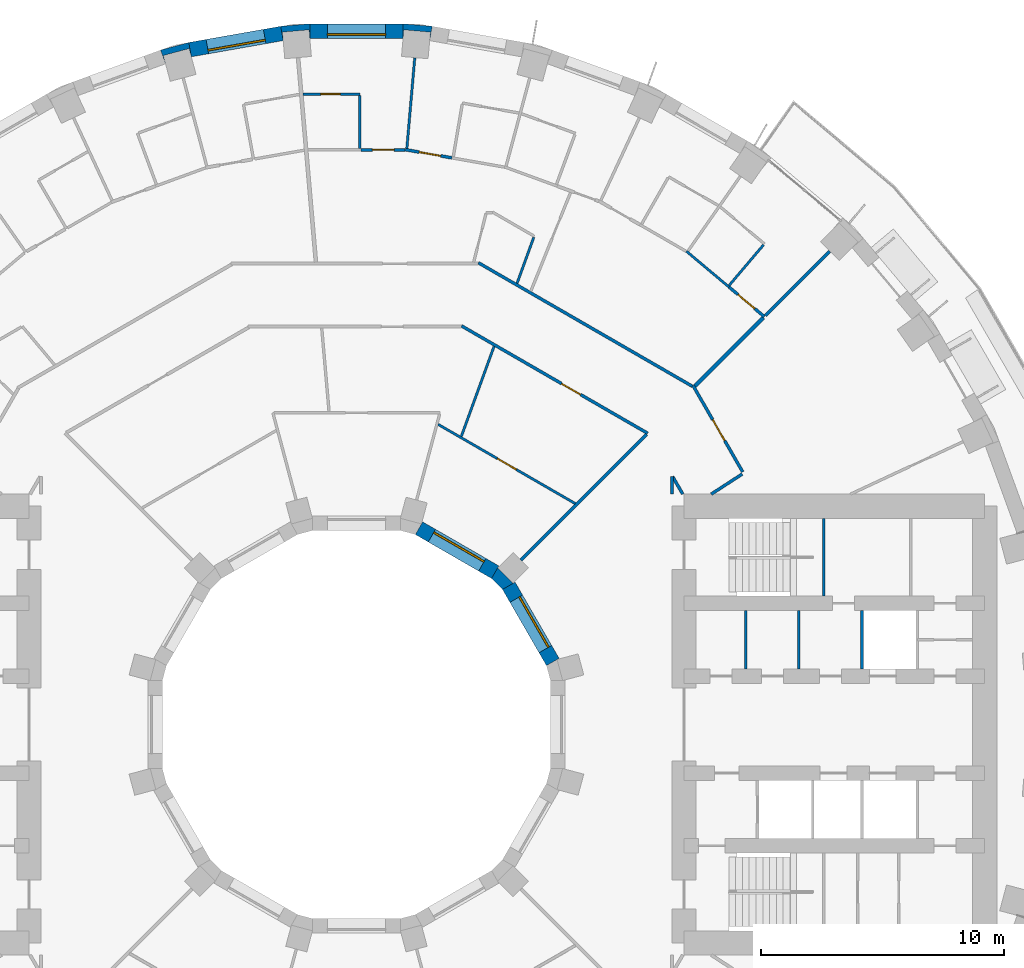
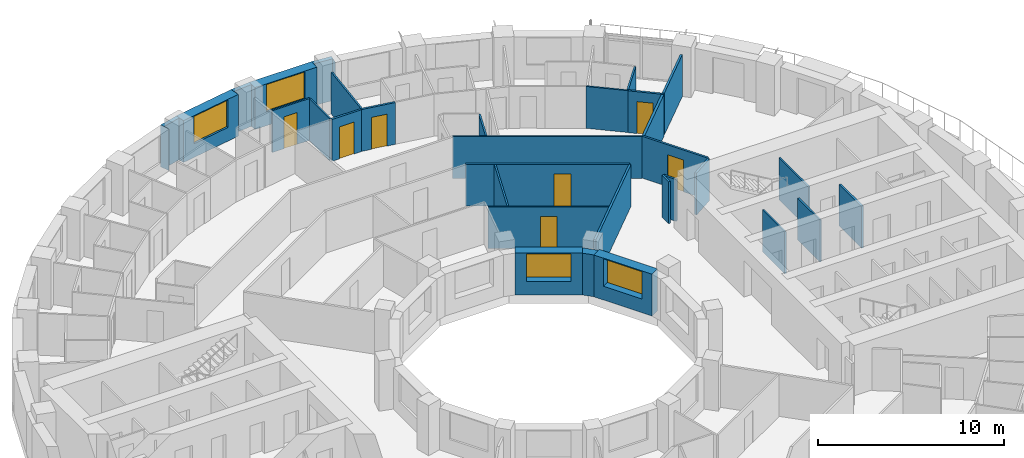
# One storey, part 12 of 15: 32 walls, 7 doors, 4 windows, 11 openings.
"""IFC4 building model written with IfcOpenShell, lengths in metres."""

from ifc_helpers import new_model, si_unit, direction, frame, frame_2d, origin, place, context, subcontext, project, spatial, polyline, rectangle, outline, extrude, material, layer, layer_set, type_object, element, fill, save


model = new_model("IFC4")

# Units and contexts
model_context = context("Model", 3, precision=1e-05, world=origin(), true_north=direction((0.0, 1.0)))
body_context = subcontext(model_context, "Body", "Model", "MODEL_VIEW")
ifc_project = project(units=[si_unit("LENGTHUNIT", "METRE"), si_unit("AREAUNIT", "SQUARE_METRE"), si_unit("VOLUMEUNIT", "CUBIC_METRE"), si_unit("PLANEANGLEUNIT", "RADIAN"), si_unit("MASSUNIT", "GRAM", prefix="KILO")], contexts=[model_context])

# Site, building, storey
site_placement = place(None, origin())
site = spatial("IfcSite", under=ifc_project, at=site_placement, CompositionType="ELEMENT")
building_placement = place(site_placement, origin())
building = spatial("IfcBuilding", under=site, at=building_placement, Name="Saqina Gate Tower", CompositionType="ELEMENT")
storey_placement = place(building_placement, frame((0.0, 0.0, 62.60009765625)))
storey = spatial("IfcBuildingStorey", under=building, at=storey_placement, Name="L17", CompositionType="ELEMENT", Elevation=62.60009765625)

# Walls
ifc_material_1 = material(Name="Brick masonry (red)", Category="masonry")
wall_type_1 = type_object("IfcWallType", Name="BRICK PIER COPING RED", PredefinedType="SOLIDWALL", material=ifc_material_1)
wall_1_placement = place(storey_placement, origin())
element("IfcWall", 1, at=wall_1_placement, inside=storey, type_object=wall_type_1, Name="Pier cap L17 column 9", PredefinedType="SOLIDWALL", context=body_context, shape_type="SweptSolid", body=[
    extrude(outline(polyline([(3.122802734375, 28.78466796875), (1.9228515625, 28.8896484375), (1.9228515625, 28.28955078125), (1.95361328125, 28.638671875), (3.04931640625, 28.54296875), (3.018798828125, 28.19384765625), (3.122802734375, 28.78466796875)])), origin(), (0.0, 0.0, 1.0), 2.75),
])
wall_2_placement = place(storey_placement, origin())
element("IfcWall", 2, at=wall_2_placement, inside=storey, type_object=wall_type_1, Name="Pier cap L17 column 10", PredefinedType="SOLIDWALL", context=body_context, shape_type="SweptSolid", body=[
    extrude(outline(polyline([(-1.9228515625, 28.8896484375), (-3.122802734375, 28.78466796875), (-3.018798828125, 28.19384765625), (-3.04931640625, 28.54296875), (-1.95361328125, 28.638671875), (-1.9228515625, 28.28955078125), (-1.9228515625, 28.8896484375)])), origin(), (0.0, 0.0, 1.0), 2.75),
])
wall_3_placement = place(storey_placement, origin())
element("IfcWall", 3, at=wall_3_placement, inside=storey, type_object=wall_type_1, Name="Pier cap L17 column 11", PredefinedType="SOLIDWALL", context=body_context, shape_type="SweptSolid", body=[
    extrude(outline(polyline([(-6.910400390625, 28.11669921875), (-8.073974609375, 27.80517578125), (-7.86865234375, 27.2412109375), (-7.95947265625, 27.57958984375), (-6.896728515625, 27.864501953125), (-6.80615234375, 27.52587890625), (-6.910400390625, 28.11669921875)])), origin(), (0.0, 0.0, 1.0), 2.75),
])
ifc_material_2 = material(Name="Gypsum board on steel studs", Category="steel")
ifc_layer_1 = layer(ifc_material_2, 0.10009765625)
ifc_layer_set_1 = layer_set([ifc_layer_1], Name="CORE PARTITION")
wall_type_2 = type_object("IfcWallType", Name="CORE PARTITION", PredefinedType="PARTITIONING", material=ifc_layer_set_1)
for number, where, z_axis, x_axis, name in (
    (4, (16.052001953125, 2.300048828125, 0.0), (0.0, 0.0, 1.0), (0.0, 1.0, 0.0), "L17-CP-E01"),
    (5, (18.24072265625, 2.300048828125, 0.0), (0.0, 0.0, 1.0), (0.0, 1.0, 0.0), "L17-CP-E02"),
):
    element("IfcWall", number, at=place(storey_placement, frame(where, z_axis=z_axis, x_axis=x_axis)), inside=storey, type_object=wall_type_2, Name=name, PredefinedType="PARTITIONING", context=body_context, shape_type="SweptSolid", body=[
        extrude(rectangle(XDim=2.39990234375, YDim=0.10009765625, at=frame_2d((1.199951171875, 0.0))), origin(), (0.0, 0.0, 1.0), 2.75),
    ])

# Wall, opening, window
ifc_material_3 = material(Name="Brick masonry (red)", Category="masonry")
ifc_layer_2 = layer(ifc_material_3, 0.60009765625)
ifc_layer_set_2 = layer_set([ifc_layer_2], Name="FW-BRICK-RED")
wall_type_3 = type_object("IfcWallType", Name="FW-BRICK-RED", PredefinedType="SOLIDWALL", material=ifc_layer_set_2)
wall_4_placement = place(storey_placement, frame((1.9228515625, 28.589599609375, 0.0), z_axis=(0.0, 0.0, 1.0), x_axis=(-1.0, 0.0, 0.0)))
wall_4 = element("IfcWall", 6, at=wall_4_placement, inside=storey, type_object=wall_type_3, Name="Facade wall L17 facet 9", PredefinedType="SOLIDWALL", context=body_context, shape_type="SweptSolid", body=[
    extrude(rectangle(XDim=3.845703125, YDim=0.60009765625, at=frame_2d((1.9228515625, 0.0))), origin(), (0.0, 0.0, 1.0), 2.75),
])
opening_1_placement = place(wall_4_placement, frame((0.722900390625, 0.0, 0.89990234375)))
opening_1 = element("IfcOpeningElement", 7, at=opening_1_placement, cuts=wall_4, Name="Opening G04-W04", PredefinedType="OPENING", context=body_context, shape_type="SweptSolid", body=[
    extrude(rectangle(XDim=2.39990234375, YDim=1.800048828125, at=frame_2d((1.199951171875, 0.89990234375))), frame((0.0, 0.31201171875, 0.0), z_axis=(0.0, -1.0, 0.0), x_axis=(1.0, 0.0, 0.0)), (0.0, 0.0, 1.0), 0.6240234375),
])
ifc_material_4 = material(Name="Aluminium glazing", Category="aluminium")
window_type_1 = type_object("IfcWindowType", Name="WN-A", PartitioningType="SINGLE_PANEL", PredefinedType="WINDOW", material=ifc_material_4)
window_1_placement = place(opening_1_placement, origin())
window_1 = element("IfcWindow", 8, at=window_1_placement, inside=storey, type_object=window_type_1, Name="Window L17 facet 9", OverallHeight=1.800048828125, OverallWidth=2.39990234375, PartitioningType="SINGLE_PANEL", PredefinedType="WINDOW", context=body_context, shape_type="SweptSolid", body=[
    extrude(rectangle(XDim=2.39990234375, YDim=1.800048828125, at=frame_2d((1.199951171875, 0.89990234375))), frame((0.0, 0.179931640625, 0.0), z_axis=(0.0, -1.0, 0.0), x_axis=(1.0, 0.0, 0.0)), (0.0, 0.0, 1.0), 0.06005859375),
])
fill(opening_1, window_1)

wall_5_placement = place(storey_placement, frame((-3.07080078125, 28.4892578125, 0.0), z_axis=(0.0, 0.0, 1.0), x_axis=(-0.984800809218, -0.173687553279, 0.0)))
wall_5 = element("IfcWall", 9, at=wall_5_placement, inside=storey, type_object=wall_type_3, Name="Facade wall L17 facet 10", PredefinedType="SOLIDWALL", context=body_context, shape_type="SweptSolid", body=[
    extrude(rectangle(XDim=3.845703125, YDim=0.60009765625, at=frame_2d((1.9228515625, 0.0))), origin(), (0.0, 0.0, 1.0), 2.75),
])
opening_2_placement = place(wall_5_placement, frame((0.722900390625, 0.0, 0.89990234375)))
opening_2 = element("IfcOpeningElement", 10, at=opening_2_placement, cuts=wall_5, Name="Opening G04-W05", PredefinedType="OPENING", context=body_context, shape_type="SweptSolid", body=[
    extrude(rectangle(XDim=2.39990234375, YDim=1.800048828125, at=frame_2d((1.199951171875, 0.89990234375))), frame((0.0, 0.31201171875, 0.0), z_axis=(0.0, -1.0, 0.0), x_axis=(1.0, 0.0, 0.0)), (0.0, 0.0, 1.0), 0.6240234375),
])
window_2_placement = place(opening_2_placement, origin())
window_2 = element("IfcWindow", 11, at=window_2_placement, inside=storey, type_object=window_type_1, Name="Window L17 facet 10", OverallHeight=1.800048828125, OverallWidth=2.39990234375, PartitioningType="SINGLE_PANEL", PredefinedType="WINDOW", context=body_context, shape_type="SweptSolid", body=[
    extrude(rectangle(XDim=2.39990234375, YDim=1.800048828125, at=frame_2d((1.199951171875, 0.89990234375))), frame((0.0, 0.179931640625, 0.0), z_axis=(0.0, -1.0, 0.0), x_axis=(1.0, 0.0, 0.0)), (0.0, 0.0, 1.0), 0.06005859375),
])
fill(opening_2, window_2)

ifc_material_5 = material(Name="Glazed ceramic tile", Category="ceramic")
ifc_layer_3 = layer(ifc_material_5, 0.60009765625)
ifc_layer_set_3 = layer_set([ifc_layer_3], Name="IW-TILE")
wall_type_4 = type_object("IfcWallType", Name="IW-TILE", PredefinedType="SOLIDWALL", material=ifc_layer_set_3)
wall_6_placement = place(storey_placement, frame((8.09423828125, 2.580322265625, 0.0), z_axis=(0.0, 0.0, 1.0), x_axis=(-0.499992569217, 0.866029693906, 0.0)))
wall_6 = element("IfcWall", 12, at=wall_6_placement, inside=storey, type_object=wall_type_4, Name="Well wall L17 facet 1", PredefinedType="SOLIDWALL", context=body_context, shape_type="SweptSolid", body=[
    extrude(rectangle(XDim=3.625, YDim=0.60009765625, at=frame_2d((1.8125, 0.0))), origin(), (0.0, 0.0, 1.0), 2.75),
])
opening_3_placement = place(wall_6_placement, frame((0.612548828125, 0.0, 0.89990234375)))
opening_3 = element("IfcOpeningElement", 13, at=opening_3_placement, cuts=wall_6, Name="Opening G04-W24", PredefinedType="OPENING", context=body_context, shape_type="SweptSolid", body=[
    extrude(rectangle(XDim=2.39990234375, YDim=1.800048828125, at=frame_2d((1.199951171875, 0.89990234375))), frame((0.0, 0.31201171875, 0.0), z_axis=(0.0, -1.0, 0.0), x_axis=(1.0, 0.0, 0.0)), (0.0, 0.0, 1.0), 0.6240234375),
])
ifc_material_6 = material(Name="Aluminium glazing", Category="aluminium")
window_type_2 = type_object("IfcWindowType", Name="WN-W", PartitioningType="SINGLE_PANEL", PredefinedType="WINDOW", material=ifc_material_6)
window_3_placement = place(opening_3_placement, origin())
window_3 = element("IfcWindow", 14, at=window_3_placement, inside=storey, type_object=window_type_2, Name="Well window L17 facet 1", OverallHeight=1.800048828125, OverallWidth=2.39990234375, PartitioningType="SINGLE_PANEL", PredefinedType="WINDOW", context=body_context, shape_type="SweptSolid", body=[
    extrude(rectangle(XDim=2.39990234375, YDim=1.800048828125, at=frame_2d((1.199951171875, 0.89990234375))), frame((0.0, -0.119873046875, 0.0), z_axis=(0.0, -1.0, 0.0), x_axis=(1.0, 0.0, 0.0)), (0.0, 0.0, 1.0), 0.06005859375),
])
fill(opening_3, window_3)

wall_7_placement = place(storey_placement, frame((5.7197265625, 6.28173828125, 0.0), z_axis=(0.0, 0.0, 1.0), x_axis=(-0.866029693906, 0.499992569217, 0.0)))
wall_7 = element("IfcWall", 15, at=wall_7_placement, inside=storey, type_object=wall_type_4, Name="Well wall L17 facet 2", PredefinedType="SOLIDWALL", context=body_context, shape_type="SweptSolid", body=[
    extrude(rectangle(XDim=3.625, YDim=0.60009765625, at=frame_2d((1.8125, 0.0))), origin(), (0.0, 0.0, 1.0), 2.75),
])
opening_4_placement = place(wall_7_placement, frame((0.612548828125, 0.0, 0.89990234375)))
opening_4 = element("IfcOpeningElement", 16, at=opening_4_placement, cuts=wall_7, Name="Opening G04-W25", PredefinedType="OPENING", context=body_context, shape_type="SweptSolid", body=[
    extrude(rectangle(XDim=2.39990234375, YDim=1.800048828125, at=frame_2d((1.199951171875, 0.89990234375))), frame((0.0, 0.31201171875, 0.0), z_axis=(0.0, -1.0, 0.0), x_axis=(1.0, 0.0, 0.0)), (0.0, 0.0, 1.0), 0.6240234375),
])
window_4_placement = place(opening_4_placement, origin())
window_4 = element("IfcWindow", 17, at=window_4_placement, inside=storey, type_object=window_type_2, Name="Well window L17 facet 2", OverallHeight=1.800048828125, OverallWidth=2.39990234375, PartitioningType="SINGLE_PANEL", PredefinedType="WINDOW", context=body_context, shape_type="SweptSolid", body=[
    extrude(rectangle(XDim=2.39990234375, YDim=1.800048828125, at=frame_2d((1.199951171875, 0.89990234375))), frame((0.0, -0.119873046875, 0.0), z_axis=(0.0, -1.0, 0.0), x_axis=(1.0, 0.0, 0.0)), (0.0, 0.0, 1.0), 0.06005859375),
])
fill(opening_4, window_4)

# Wall
ifc_material_7 = material(Name="Gypsum board on steel studs, 100 mm", Category="steel")
ifc_layer_4 = layer(ifc_material_7, 0.10009765625)
ifc_layer_set_4 = layer_set([ifc_layer_4], Name="PARTITION 100")
wall_type_5 = type_object("IfcWallType", Name="PARTITION 100", PredefinedType="PARTITIONING", material=ifc_layer_set_4)
wall_8_placement = place(storey_placement, frame((13.60107421875, 19.5126953125, 0.0), z_axis=(0.0, 0.0, 1.0), x_axis=(0.765838323525, -0.643033173499, 0.0)))
element("IfcWall", 18, at=wall_8_placement, inside=storey, type_object=wall_type_5, Name="PARTITION PW3-30", PredefinedType="PARTITIONING", context=body_context, shape_type="SweptSolid", body=[
    extrude(rectangle(XDim=2.30615234375, YDim=0.10009765625, at=frame_2d((1.153076171875, 0.0))), origin(), (0.0, 0.0, 1.0), 2.75),
])

# Wall, opening, door
wall_9_placement = place(storey_placement, frame((3.3662109375, 12.375, 0.0), z_axis=(0.0, 0.0, 1.0), x_axis=(0.86596399252, -0.500106352348, 0.0)))
wall_9 = element("IfcWall", 19, at=wall_9_placement, inside=storey, type_object=wall_type_5, Name="PARTITION PW3-41", PredefinedType="PARTITIONING", context=body_context, shape_type="SweptSolid", body=[
    extrude(rectangle(XDim=6.5322265625, YDim=0.10009765625, at=frame_2d((3.26611328125, 0.0))), origin(), (0.0, 0.0, 1.0), 2.75),
])
opening_5_placement = place(wall_9_placement, frame((2.822265625, 0.0, 0.0)))
opening_5 = element("IfcOpeningElement", 20, at=opening_5_placement, cuts=wall_9, Name="Opening G04-D07", PredefinedType="OPENING", context=body_context, shape_type="SweptSolid", body=[
    extrude(rectangle(XDim=0.89990234375, YDim=2.10009765625, at=frame_2d((0.449951171875, 1.050048828125))), frame((0.0, 0.06201171875, 0.0), z_axis=(0.0, -1.0, 0.0), x_axis=(1.0, 0.0, 0.0)), (0.0, 0.0, 1.0), 0.1240234375),
])
ifc_material_8 = material(Name="Timber door leaf, 900 mm", Category="wood")
door_type_1 = type_object("IfcDoorType", Name="DOOR 900 TIMBER", OperationType="SINGLE_SWING_LEFT", PredefinedType="DOOR", material=ifc_material_8)
door_1_placement = place(opening_5_placement, origin())
door_1 = element("IfcDoor", 21, at=door_1_placement, inside=storey, type_object=door_type_1, Name="DOOR G04-D07", OperationType="SINGLE_SWING_RIGHT", OverallHeight=2.10009765625, OverallWidth=0.89990234375, PredefinedType="DOOR", context=body_context, shape_type="SweptSolid", body=[
    extrude(rectangle(XDim=0.89990234375, YDim=2.10009765625, at=frame_2d((0.449951171875, 1.050048828125))), frame((0.0, 0.02490234375, 0.0), z_axis=(0.0, -1.0, 0.0), x_axis=(1.0, 0.0, 0.0)), (0.0, 0.0, 1.0), 0.050048828125),
])
fill(opening_5, door_1)

wall_10_placement = place(storey_placement, frame((-2.198974609375, 25.989990234375, 0.0), z_axis=(0.0, 0.0, 1.0), x_axis=(1.0, 0.0, 0.0)))
wall_10 = element("IfcWall", 22, at=wall_10_placement, inside=storey, type_object=wall_type_5, Name="PARTITION PW3-62", PredefinedType="PARTITIONING", context=body_context, shape_type="SweptSolid", body=[
    extrude(rectangle(XDim=2.344970703125, YDim=0.10009765625, at=frame_2d((1.17236328125, 0.0))), origin(), (0.0, 0.0, 1.0), 2.75),
])
opening_6_placement = place(wall_10_placement, frame((0.735107421875, 0.0, 0.0)))
opening_6 = element("IfcOpeningElement", 23, at=opening_6_placement, cuts=wall_10, Name="Opening G04-D19", PredefinedType="OPENING", context=body_context, shape_type="SweptSolid", body=[
    extrude(rectangle(XDim=0.800048828125, YDim=2.10009765625, at=frame_2d((0.39990234375, 1.050048828125))), frame((0.0, 0.06201171875, 0.0), z_axis=(0.0, -1.0, 0.0), x_axis=(1.0, 0.0, 0.0)), (0.0, 0.0, 1.0), 0.1240234375),
])
ifc_material_9 = material(Name="Timber door leaf, 800 mm", Category="wood")
door_type_2 = type_object("IfcDoorType", Name="DOOR 800 TIMBER", OperationType="SINGLE_SWING_LEFT", PredefinedType="DOOR", material=ifc_material_9)
door_2_placement = place(opening_6_placement, origin())
door_2 = element("IfcDoor", 24, at=door_2_placement, inside=storey, type_object=door_type_2, Name="DOOR G04-D19", OperationType="SINGLE_SWING_LEFT", OverallHeight=2.10009765625, OverallWidth=0.800048828125, PredefinedType="DOOR", context=body_context, shape_type="SweptSolid", body=[
    extrude(rectangle(XDim=0.800048828125, YDim=2.10009765625, at=frame_2d((0.39990234375, 1.050048828125))), frame((0.0, 0.02490234375, 0.0), z_axis=(0.0, -1.0, 0.0), x_axis=(1.0, 0.0, 0.0)), (0.0, 0.0, 1.0), 0.050048828125),
])
fill(opening_6, door_2)

# Walls
wall_11_placement = place(storey_placement, frame((15.369384765625, 18.109619140625, 0.0), z_axis=(0.0, 0.0, 1.0), x_axis=(0.646932224045, 0.762547505072, 0.0)))
element("IfcWall", 25, at=wall_11_placement, inside=storey, type_object=wall_type_5, Name="PARTITION PW3-84", PredefinedType="PARTITIONING", context=body_context, shape_type="SweptSolid", body=[
    extrude(rectangle(XDim=2.187744140625, YDim=0.10009765625, at=frame_2d((1.09375, 0.0))), origin(), (0.0, 0.0, 1.0), 2.75),
])
wall_12_placement = place(storey_placement, frame((4.32421875, 11.87890625, 0.0), z_axis=(0.0, 0.0, 1.0), x_axis=(0.341946576705, 0.939719393585, 0.0)))
element("IfcWall", 26, at=wall_12_placement, inside=storey, type_object=wall_type_5, Name="PARTITION PW3-101", PredefinedType="PARTITIONING", context=body_context, shape_type="SweptSolid", body=[
    extrude(rectangle(XDim=3.948974609375, YDim=0.10009765625, at=frame_2d((1.974609375, 0.0))), origin(), (0.0, 0.0, 1.0), 2.75),
])
wall_13_placement = place(storey_placement, frame((6.620361328125, 18.188720703125, 0.0), z_axis=(0.0, 0.0, 1.0), x_axis=(0.341976076059, 0.939708658789, 0.0)))
element("IfcWall", 27, at=wall_13_placement, inside=storey, type_object=wall_type_5, Name="PARTITION PW3-102", PredefinedType="PARTITIONING", context=body_context, shape_type="SweptSolid", body=[
    extrude(rectangle(XDim=2.01904296875, YDim=0.10009765625, at=frame_2d((1.009521484375, 0.0))), origin(), (0.0, 0.0, 1.0), 2.75),
])
wall_14_placement = place(storey_placement, frame((2.078369140625, 23.752197265625, 0.0), z_axis=(0.0, 0.0, 1.0), x_axis=(0.087045714137, 0.996204318225, 0.0)))
element("IfcWall", 28, at=wall_14_placement, inside=storey, type_object=wall_type_5, Name="PARTITION PW3-112", PredefinedType="PARTITIONING", context=body_context, shape_type="SweptSolid", body=[
    extrude(rectangle(XDim=3.7470703125, YDim=0.10009765625, at=frame_2d((1.87353515625, 0.0))), origin(), (0.0, 0.0, 1.0), 2.75),
])
wall_15_placement = place(storey_placement, frame((0.13330078125, 23.75244140625, 0.0), z_axis=(0.0, 0.0, 1.0), x_axis=(0.005691872083, 0.999983801165, 0.0)))
element("IfcWall", 29, at=wall_15_placement, inside=storey, type_object=wall_type_5, Name="PARTITION PW3-114", PredefinedType="PARTITIONING", context=body_context, shape_type="SweptSolid", body=[
    extrude(rectangle(XDim=2.1875, YDim=0.10009765625, at=frame_2d((1.09375, 0.0))), origin(), (0.0, 0.0, 1.0), 2.75),
])

# Wall, opening, door
ifc_material_10 = material(Name="Gypsum board on steel studs, 125 mm, fire rated", Category="steel")
ifc_layer_5 = layer(ifc_material_10, 0.125)
ifc_layer_set_5 = layer_set([ifc_layer_5], Name="PARTITION EI 30 125")
wall_type_6 = type_object("IfcWallType", Name="PARTITION EI 30 125", PredefinedType="PARTITIONING", material=ifc_layer_set_5)
wall_16_placement = place(storey_placement, frame((13.875732421875, 13.976318359375, 0.0), z_axis=(0.0, 0.0, 1.0), x_axis=(0.498306982451, -0.867000663921, 0.0)))
wall_16 = element("IfcWall", 30, at=wall_16_placement, inside=storey, type_object=wall_type_6, Name="PARTITION PW1-01", PredefinedType="PARTITIONING", context=body_context, shape_type="SweptSolid", body=[
    extrude(rectangle(XDim=4.108154296875, YDim=0.125, at=frame_2d((2.05419921875, 0.0))), origin(), (0.0, 0.0, 1.0), 2.75),
])
opening_7_placement = place(wall_16_placement, frame((1.622802734375, 0.0, 0.0)))
opening_7 = element("IfcOpeningElement", 31, at=opening_7_placement, cuts=wall_16, Name="Opening G04-D02", PredefinedType="OPENING", context=body_context, shape_type="SweptSolid", body=[
    extrude(rectangle(XDim=1.0, YDim=2.10009765625, at=frame_2d((0.5, 1.050048828125))), frame((0.0, 0.074462890625, 0.0), z_axis=(0.0, -1.0, 0.0), x_axis=(1.0, 0.0, 0.0)), (0.0, 0.0, 1.0), 0.14892578125),
])
ifc_material_11 = material(Name="Fire door leaf EI 30, 1000 mm")
door_type_3 = type_object("IfcDoorType", Name="DOOR 1000 EI 30", OperationType="SINGLE_SWING_LEFT", PredefinedType="DOOR", material=ifc_material_11)
door_3_placement = place(opening_7_placement, frame((1.0, 0.0, 0.0), z_axis=(0.0, 0.0, 1.0), x_axis=(-1.0, 0.0, 0.0)))
door_3 = element("IfcDoor", 32, at=door_3_placement, inside=storey, type_object=door_type_3, Name="DOOR G04-D02", OperationType="SINGLE_SWING_LEFT", OverallHeight=2.10009765625, OverallWidth=1.0, PredefinedType="DOOR", context=body_context, shape_type="SweptSolid", body=[
    extrude(rectangle(XDim=1.0, YDim=2.10009765625, at=frame_2d((0.5, 1.050048828125))), frame((0.0, 0.02490234375, 0.0), z_axis=(0.0, -1.0, 0.0), x_axis=(1.0, 0.0, 0.0)), (0.0, 0.0, 1.0), 0.050048828125),
])
fill(opening_7, door_3)

# Wall
wall_17_placement = place(storey_placement, frame((13.034912109375, 10.222412109375, 0.0), z_axis=(0.0, 0.0, 1.0), x_axis=(0.49991670217, -0.866073490468, 0.0)))
element("IfcWall", 33, at=wall_17_placement, inside=storey, type_object=wall_type_6, Name="PARTITION PW1-04", PredefinedType="PARTITIONING", context=body_context, shape_type="SweptSolid", body=[
    extrude(rectangle(XDim=0.834228515625, YDim=0.125, at=frame_2d((0.4169921875, 0.0))), origin(), (0.0, 0.0, 1.0), 2.75),
])

# Wall, opening, door
wall_18_placement = place(storey_placement, frame((15.3671875, 18.02978515625, 0.0), z_axis=(0.0, 0.0, 1.0), x_axis=(0.766035589551, -0.64279816081, 0.0)))
wall_18 = element("IfcWall", 34, at=wall_18_placement, inside=storey, type_object=wall_type_6, Name="PARTITION PW1-07", PredefinedType="PARTITIONING", context=body_context, shape_type="SweptSolid", body=[
    extrude(rectangle(XDim=1.889892578125, YDim=0.125, at=frame_2d((0.94482421875, 0.0))), origin(), (0.0, 0.0, 1.0), 2.75),
])
opening_8_placement = place(wall_18_placement, frame((0.469970703125, 0.0, 0.0)))
opening_8 = element("IfcOpeningElement", 35, at=opening_8_placement, cuts=wall_18, Name="Opening G04-D03", PredefinedType="OPENING", context=body_context, shape_type="SweptSolid", body=[
    extrude(rectangle(XDim=0.89990234375, YDim=2.10009765625, at=frame_2d((0.449951171875, 1.050048828125))), frame((0.0, 0.074462890625, 0.0), z_axis=(0.0, -1.0, 0.0), x_axis=(1.0, 0.0, 0.0)), (0.0, 0.0, 1.0), 0.14892578125),
])
ifc_material_12 = material(Name="Fire door leaf EI 30, 900 mm")
door_type_4 = type_object("IfcDoorType", Name="DOOR 900 EI 30", OperationType="SINGLE_SWING_LEFT", PredefinedType="DOOR", material=ifc_material_12)
door_4_placement = place(opening_8_placement, frame((0.89990234375, 0.0, 0.0), z_axis=(0.0, 0.0, 1.0), x_axis=(-1.0, 0.0, 0.0)))
door_4 = element("IfcDoor", 36, at=door_4_placement, inside=storey, type_object=door_type_4, Name="DOOR G04-D03", OperationType="SINGLE_SWING_LEFT", OverallHeight=2.10009765625, OverallWidth=0.89990234375, PredefinedType="DOOR", context=body_context, shape_type="SweptSolid", body=[
    extrude(rectangle(XDim=0.89990234375, YDim=2.10009765625, at=frame_2d((0.449951171875, 1.050048828125))), frame((0.0, 0.02490234375, 0.0), z_axis=(0.0, -1.0, 0.0), x_axis=(1.0, 0.0, 0.0)), (0.0, 0.0, 1.0), 0.050048828125),
])
fill(opening_8, door_4)

wall_19_placement = place(storey_placement, frame((4.33154296875, 16.43603515625, 0.0), z_axis=(0.0, 0.0, 1.0), x_axis=(0.866073188118, -0.499917225971, 0.0)))
wall_19 = element("IfcWall", 37, at=wall_19_placement, inside=storey, type_object=wall_type_6, Name="PARTITION PW1-12", PredefinedType="PARTITIONING", context=body_context, shape_type="SweptSolid", body=[
    extrude(rectangle(XDim=8.861328125, YDim=0.125, at=frame_2d((4.4306640625, 0.0))), origin(), (0.0, 0.0, 1.0), 2.75),
])
opening_9_placement = place(wall_19_placement, frame((4.768310546875, 0.0, 0.0)))
opening_9 = element("IfcOpeningElement", 38, at=opening_9_placement, cuts=wall_19, Name="Opening G04-D05", PredefinedType="OPENING", context=body_context, shape_type="SweptSolid", body=[
    extrude(rectangle(XDim=0.89990234375, YDim=2.10009765625, at=frame_2d((0.449951171875, 1.050048828125))), frame((0.0, 0.074462890625, 0.0), z_axis=(0.0, -1.0, 0.0), x_axis=(1.0, 0.0, 0.0)), (0.0, 0.0, 1.0), 0.14892578125),
])
door_5_placement = place(opening_9_placement, frame((0.89990234375, 0.0, 0.0), z_axis=(0.0, 0.0, 1.0), x_axis=(-1.0, 0.0, 0.0)))
door_5 = element("IfcDoor", 39, at=door_5_placement, inside=storey, type_object=door_type_4, Name="DOOR G04-D05", OperationType="SINGLE_SWING_LEFT", OverallHeight=2.10009765625, OverallWidth=0.89990234375, PredefinedType="DOOR", context=body_context, shape_type="SweptSolid", body=[
    extrude(rectangle(XDim=0.89990234375, YDim=2.10009765625, at=frame_2d((0.449951171875, 1.050048828125))), frame((0.0, 0.02490234375, 0.0), z_axis=(0.0, -1.0, 0.0), x_axis=(1.0, 0.0, 0.0)), (0.0, 0.0, 1.0), 0.050048828125),
])
fill(opening_9, door_5)

# Wall
wall_20_placement = place(storey_placement, frame((5.028564453125, 19.0361328125, 0.0), z_axis=(0.0, 0.0, 1.0), x_axis=(0.866024825845, -0.50000100102, 0.0)))
element("IfcWall", 40, at=wall_20_placement, inside=storey, type_object=wall_type_6, Name="PARTITION PW1-13", PredefinedType="PARTITIONING", context=body_context, shape_type="SweptSolid", body=[
    extrude(rectangle(XDim=10.19189453125, YDim=0.125, at=frame_2d((5.095947265625, 0.0))), origin(), (0.0, 0.0, 1.0), 2.75),
])

# Wall, opening, door
wall_21_placement = place(storey_placement, frame((2.010498046875, 23.700927734375, 0.0), z_axis=(0.0, 0.0, 1.0), x_axis=(0.984788592159, -0.173756809228, 0.0)))
wall_21 = element("IfcWall", 41, at=wall_21_placement, inside=storey, type_object=wall_type_6, Name="PARTITION PW1-20", PredefinedType="PARTITIONING", context=body_context, shape_type="SweptSolid", body=[
    extrude(rectangle(XDim=1.953125, YDim=0.125, at=frame_2d((0.9765625, 0.0))), origin(), (0.0, 0.0, 1.0), 2.75),
])
opening_10_placement = place(wall_21_placement, frame((0.583251953125, 0.0, 0.0)))
opening_10 = element("IfcOpeningElement", 42, at=opening_10_placement, cuts=wall_21, Name="Opening G04-D14", PredefinedType="OPENING", context=body_context, shape_type="SweptSolid", body=[
    extrude(rectangle(XDim=0.89990234375, YDim=2.10009765625, at=frame_2d((0.449951171875, 1.050048828125))), frame((0.0, 0.074462890625, 0.0), z_axis=(0.0, -1.0, 0.0), x_axis=(1.0, 0.0, 0.0)), (0.0, 0.0, 1.0), 0.14892578125),
])
door_6_placement = place(opening_10_placement, frame((0.89990234375, 0.0, 0.0), z_axis=(0.0, 0.0, 1.0), x_axis=(-1.0, 0.0, 0.0)))
door_6 = element("IfcDoor", 43, at=door_6_placement, inside=storey, type_object=door_type_4, Name="DOOR G04-D14", OperationType="SINGLE_SWING_RIGHT", OverallHeight=2.10009765625, OverallWidth=0.89990234375, PredefinedType="DOOR", context=body_context, shape_type="SweptSolid", body=[
    extrude(rectangle(XDim=0.89990234375, YDim=2.10009765625, at=frame_2d((0.449951171875, 1.050048828125))), frame((0.0, 0.02490234375, 0.0), z_axis=(0.0, -1.0, 0.0), x_axis=(1.0, 0.0, 0.0)), (0.0, 0.0, 1.0), 0.050048828125),
])
fill(opening_10, door_6)

wall_22_placement = place(storey_placement, frame((0.18310546875, 23.68994140625, 0.0), z_axis=(0.0, 0.0, 1.0), x_axis=(1.0, 0.0, 0.0)))
wall_22 = element("IfcWall", 44, at=wall_22_placement, inside=storey, type_object=wall_type_6, Name="PARTITION PW1-26", PredefinedType="PARTITIONING", context=body_context, shape_type="SweptSolid", body=[
    extrude(rectangle(XDim=1.827392578125, YDim=0.125, at=frame_2d((0.91357421875, 0.0))), origin(), (0.0, 0.0, 1.0), 2.75),
])
opening_11_placement = place(wall_22_placement, frame((0.469970703125, 0.0, 0.0)))
opening_11 = element("IfcOpeningElement", 45, at=opening_11_placement, cuts=wall_22, Name="Opening G04-D17", PredefinedType="OPENING", context=body_context, shape_type="SweptSolid", body=[
    extrude(rectangle(XDim=0.89990234375, YDim=2.10009765625, at=frame_2d((0.449951171875, 1.050048828125))), frame((0.0, 0.074462890625, 0.0), z_axis=(0.0, -1.0, 0.0), x_axis=(1.0, 0.0, 0.0)), (0.0, 0.0, 1.0), 0.14892578125),
])
door_7_placement = place(opening_11_placement, frame((0.89990234375, 0.0, 0.0), z_axis=(0.0, 0.0, 1.0), x_axis=(-1.0, 0.0, 0.0)))
door_7 = element("IfcDoor", 46, at=door_7_placement, inside=storey, type_object=door_type_4, Name="DOOR G04-D17", OperationType="SINGLE_SWING_LEFT", OverallHeight=2.10009765625, OverallWidth=0.89990234375, PredefinedType="DOOR", context=body_context, shape_type="SweptSolid", body=[
    extrude(rectangle(XDim=0.89990234375, YDim=2.10009765625, at=frame_2d((0.449951171875, 1.050048828125))), frame((0.0, 0.02490234375, 0.0), z_axis=(0.0, -1.0, 0.0), x_axis=(1.0, 0.0, 0.0)), (0.0, 0.0, 1.0), 0.050048828125),
])
fill(opening_11, door_7)

# Walls
wall_23_placement = place(storey_placement, frame((14.62890625, 9.5, 0.0), z_axis=(0.0, 0.0, 1.0), x_axis=(0.83882853689, 0.544395706908, 0.0)))
element("IfcWall", 47, at=wall_23_placement, inside=storey, type_object=wall_type_6, Name="PARTITION PW1-38", PredefinedType="PARTITIONING", context=body_context, shape_type="SweptSolid", body=[
    extrude(rectangle(XDim=1.520751953125, YDim=0.125, at=frame_2d((0.76025390625, 0.0))), origin(), (0.0, 0.0, 1.0), 2.75),
])
wall_24_placement = place(storey_placement, frame((6.78271484375, 6.78271484375, 0.0), z_axis=(0.0, 0.0, 1.0), x_axis=(0.707106781187, 0.707106781187, 0.0)))
element("IfcWall", 48, at=wall_24_placement, inside=storey, type_object=wall_type_6, Name="PARTITION PW1-42", PredefinedType="PARTITIONING", context=body_context, shape_type="SweptSolid", body=[
    extrude(rectangle(XDim=7.324462890625, YDim=0.125, at=frame_2d((3.662109375, 0.0))), origin(), (0.0, 0.0, 1.0), 2.75),
])
wall_25_placement = place(storey_placement, frame((16.859130859375, 16.859130859375, 0.0), z_axis=(0.0, 0.0, 1.0), x_axis=(0.707106781187, 0.707106781187, 0.0)))
element("IfcWall", 49, at=wall_25_placement, inside=storey, type_object=wall_type_6, Name="PARTITION PW1-43", PredefinedType="PARTITIONING", context=body_context, shape_type="SweptSolid", body=[
    extrude(rectangle(XDim=3.74755859375, YDim=0.125, at=frame_2d((1.873779296875, 0.0))), origin(), (0.0, 0.0, 1.0), 2.75),
])
wall_26_placement = place(storey_placement, frame((13.0, 9.5, 0.0), z_axis=(0.0, 0.0, 1.0), x_axis=(0.0, 1.0, 0.0)))
element("IfcWall", 50, at=wall_26_placement, inside=storey, type_object=wall_type_6, Name="PARTITION PW1-53", PredefinedType="PARTITIONING", context=body_context, shape_type="SweptSolid", body=[
    extrude(rectangle(XDim=0.720458984375, YDim=0.125, at=frame_2d((0.3603515625, 0.0))), origin(), (0.0, 0.0, 1.0), 2.75),
])
ifc_material_13 = material(Name="Gypsum board on steel studs, 150 mm, fire rated", Category="steel")
ifc_layer_6 = layer(ifc_material_13, 0.14990234375)
ifc_layer_set_6 = layer_set([ifc_layer_6], Name="PARTITION EI 60 150")
wall_type_7 = type_object("IfcWallType", Name="PARTITION EI 60 150", PredefinedType="PARTITIONING", material=ifc_layer_set_6)
wall_27_placement = place(storey_placement, frame((13.953125, 13.953125, 0.0), z_axis=(0.0, 0.0, 1.0), x_axis=(0.707106781187, 0.707106781187, 0.0)))
element("IfcWall", 51, at=wall_27_placement, inside=storey, type_object=wall_type_7, Name="PARTITION PW2-03", PredefinedType="PARTITIONING", context=body_context, shape_type="SweptSolid", body=[
    extrude(rectangle(XDim=3.984619140625, YDim=0.14990234375, at=frame_2d((1.9921875, 0.0))), origin(), (0.0, 0.0, 1.0), 2.75),
])
ifc_material_14 = material(Name="Autoclaved aerated concrete block", Category="concrete")
ifc_layer_7 = layer(ifc_material_14, 0.1201171875)
ifc_layer_set_7 = layer_set([ifc_layer_7], Name="SHAFT PARTITION")
wall_type_8 = type_object("IfcWallType", Name="SHAFT PARTITION", PredefinedType="PARTITIONING", material=ifc_layer_set_7)
wall_28_placement = place(storey_placement, frame((20.840087890625, 2.300048828125, 0.0), z_axis=(0.0, 0.0, 1.0), x_axis=(0.0, 1.0, 0.0)))
element("IfcWall", 52, at=wall_28_placement, inside=storey, type_object=wall_type_8, Name="L17-CP-E03", PredefinedType="PARTITIONING", context=body_context, shape_type="SweptSolid", body=[
    extrude(rectangle(XDim=2.39990234375, YDim=0.1201171875, at=frame_2d((1.199951171875, 0.0))), origin(), (0.0, 0.0, 1.0), 2.75),
])
ifc_material_15 = material(Name="Autoclaved aerated concrete block", Category="concrete")
ifc_layer_8 = layer(ifc_material_15, 0.10009765625)
ifc_layer_set_8 = layer_set([ifc_layer_8], Name="STAIR ENCLOSURE WALL")
wall_type_9 = type_object("IfcWallType", Name="STAIR ENCLOSURE WALL", PredefinedType="PARTITIONING", material=ifc_layer_set_8)
wall_29_placement = place(storey_placement, frame((19.27001953125, 5.300048828125, 0.0), z_axis=(0.0, 0.0, 1.0), x_axis=(0.0, 1.0, 0.0)))
element("IfcWall", 53, at=wall_29_placement, inside=storey, type_object=wall_type_9, Name="L17-CP-E10", PredefinedType="PARTITIONING", context=body_context, shape_type="SweptSolid", body=[
    extrude(rectangle(XDim=3.199951171875, YDim=0.10009765625, at=frame_2d((1.60009765625, 0.0))), origin(), (0.0, 0.0, 1.0), 2.75),
])
ifc_material_16 = material(Name="Glazed ceramic tile", Category="ceramic")
wall_type_10 = type_object("IfcWallType", Name="TILE PIER COPING", PredefinedType="SOLIDWALL", material=ifc_material_16)
wall_30_placement = place(storey_placement, origin())
element("IfcWall", 54, at=wall_30_placement, inside=storey, type_object=wall_type_10, Name="Well pier cap L17 column 2", PredefinedType="SOLIDWALL", context=body_context, shape_type="SweptSolid", body=[
    extrude(outline(polyline([(5.821044921875, 6.45751953125), (5.569580078125, 6.02197265625), (6.02197265625, 5.569580078125), (6.45751953125, 5.821044921875), (5.821044921875, 6.45751953125)])), origin(), (0.0, 0.0, 1.0), 2.75),
])

save(model, "model.ifc")
